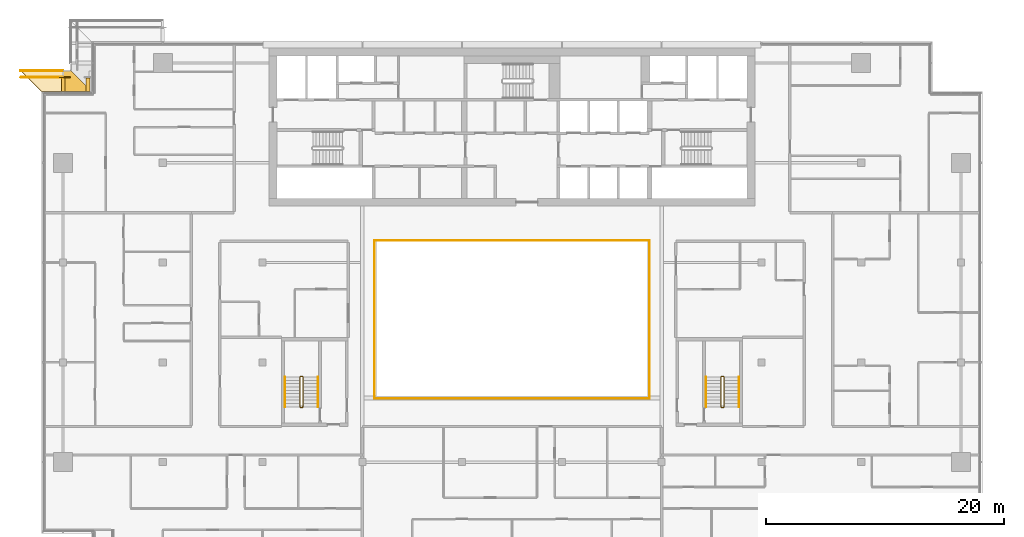
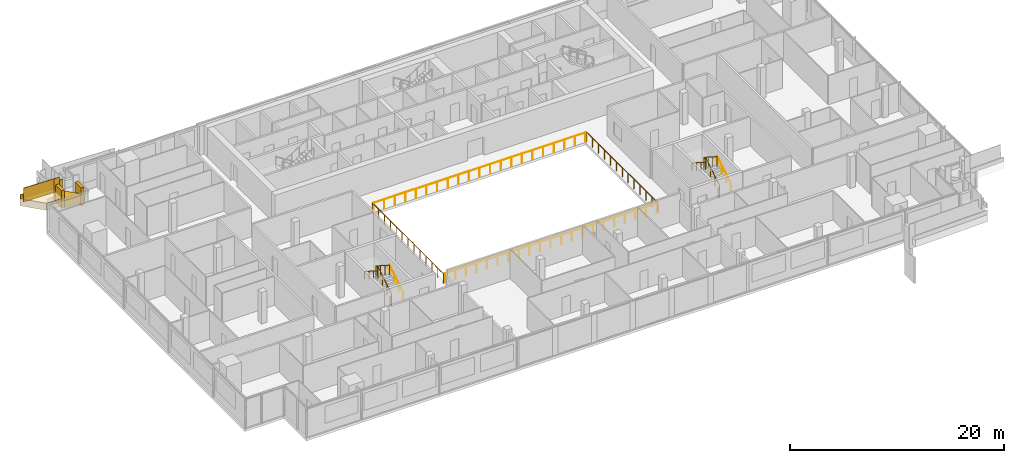
# One storey, part 26 of 30: 13 railings, 5 coverings.
"""IFC4 building model written with IfcOpenShell, lengths in metres."""

from ifc_helpers import new_model, si_unit, direction, frame, origin, origin_2d, place, context, subcontext, project, spatial, polyline, rectangle, circle, outline, extrude, material, layer, layer_set, type_object, element, save


model = new_model("IFC4")

# Units and contexts
model_context = context("Model", 3, precision=1e-05, world=origin(), true_north=direction((0.0, 1.0)))
body_context = subcontext(model_context, "Body", "Model", "MODEL_VIEW")
ifc_project = project(units=[si_unit("LENGTHUNIT", "METRE"), si_unit("AREAUNIT", "SQUARE_METRE"), si_unit("VOLUMEUNIT", "CUBIC_METRE"), si_unit("PLANEANGLEUNIT", "RADIAN"), si_unit("MASSUNIT", "GRAM", prefix="KILO")], contexts=[model_context])

# Site, building, storey
site_placement = place(None, origin())
site = spatial("IfcSite", under=ifc_project, at=site_placement, CompositionType="ELEMENT")
building_placement = place(site_placement, origin())
building = spatial("IfcBuilding", under=site, at=building_placement, Name="Saffron Gate Tower", CompositionType="ELEMENT")
storey_placement = place(building_placement, frame((0.0, 0.0, 237.89990234375)))
storey = spatial("IfcBuildingStorey", under=building, at=storey_placement, Name="L58", CompositionType="ELEMENT", Elevation=237.89990234375)

# Railings
ifc_material_1 = material(Name="Stainless steel and laminated glass", Category="steel")
railing_type_1 = type_object("IfcRailingType", Name="AG1 Atrium edge guard 1100", PredefinedType="GUARDRAIL", material=ifc_material_1)
railing_1_placement = place(storey_placement, frame((76.02001953125, 45.5400390625, 0.0)))
element("IfcRailing", 1, at=railing_1_placement, inside=storey, type_object=railing_type_1, Name="Guard D4-1", PredefinedType="GUARDRAIL", context=body_context, shape_type="SweptSolid", body=[
    extrude(circle(Radius=0.02392578125, at=origin_2d()), frame((0.0, 0.0, 1.076171875), z_axis=(0.0, 1.0, 0.0), x_axis=(-1.0, 0.0, 0.0)), (0.0, 0.0, 1.0), 13.320068359375),
    extrude(circle(Radius=0.02099609375, at=origin_2d()), origin(), (0.0, 0.0, 1.0), 1.052001953125),
    extrude(circle(Radius=0.02099609375, at=origin_2d()), frame((0.0, 1.110107421875, 0.0)), (0.0, 0.0, 1.0), 1.052001953125),
    extrude(circle(Radius=0.02099609375, at=origin_2d()), frame((0.0, 2.219970703125, 0.0)), (0.0, 0.0, 1.0), 1.052001953125),
    extrude(circle(Radius=0.02099609375, at=origin_2d()), frame((0.0, 3.330078125, 0.0)), (0.0, 0.0, 1.0), 1.052001953125),
    extrude(circle(Radius=0.02099609375, at=origin_2d()), frame((0.0, 4.43994140625, 0.0)), (0.0, 0.0, 1.0), 1.052001953125),
    extrude(circle(Radius=0.02099609375, at=origin_2d()), frame((0.0, 5.550048828125, 0.0)), (0.0, 0.0, 1.0), 1.052001953125),
    extrude(circle(Radius=0.02099609375, at=origin_2d()), frame((0.0, 6.66015625, 0.0)), (0.0, 0.0, 1.0), 1.052001953125),
    extrude(circle(Radius=0.02099609375, at=origin_2d()), frame((0.0, 7.77001953125, 0.0)), (0.0, 0.0, 1.0), 1.052001953125),
    extrude(circle(Radius=0.02099609375, at=origin_2d()), frame((0.0, 8.880126953125, 0.0)), (0.0, 0.0, 1.0), 1.052001953125),
    extrude(circle(Radius=0.02099609375, at=origin_2d()), frame((0.0, 9.989990234375, 0.0)), (0.0, 0.0, 1.0), 1.052001953125),
    extrude(circle(Radius=0.02099609375, at=origin_2d()), frame((0.0, 11.10009765625, 0.0)), (0.0, 0.0, 1.0), 1.052001953125),
    extrude(circle(Radius=0.02099609375, at=origin_2d()), frame((0.0, 12.2099609375, 0.0)), (0.0, 0.0, 1.0), 1.052001953125),
    extrude(circle(Radius=0.02099609375, at=origin_2d()), frame((0.0, 13.320068359375, 0.0)), (0.0, 0.0, 1.0), 1.052001953125),
])
railing_2_placement = place(storey_placement, frame((76.139892578125, 58.860107421875, 0.0)))
element("IfcRailing", 2, at=railing_2_placement, inside=storey, type_object=railing_type_1, Name="Guard D4-2", PredefinedType="GUARDRAIL", context=body_context, shape_type="SweptSolid", body=[
    extrude(circle(Radius=0.02392578125, at=origin_2d()), frame((0.0, 0.0, 1.076171875), z_axis=(1.0, 0.0, 0.0), x_axis=(0.0, 1.0, 0.0)), (0.0, 0.0, 1.0), 22.920166015625),
    extrude(circle(Radius=0.02099609375, at=origin_2d()), origin(), (0.0, 0.0, 1.0), 1.052001953125),
    extrude(circle(Radius=0.02099609375, at=origin_2d()), frame((1.14599609375, 0.0, 0.0)), (0.0, 0.0, 1.0), 1.052001953125),
    extrude(circle(Radius=0.02099609375, at=origin_2d()), frame((2.2919921875, 0.0, 0.0)), (0.0, 0.0, 1.0), 1.052001953125),
    extrude(circle(Radius=0.02099609375, at=origin_2d()), frame((3.43798828125, 0.0, 0.0)), (0.0, 0.0, 1.0), 1.052001953125),
    extrude(circle(Radius=0.02099609375, at=origin_2d()), frame((4.583984375, 0.0, 0.0)), (0.0, 0.0, 1.0), 1.052001953125),
    extrude(circle(Radius=0.02099609375, at=origin_2d()), frame((5.72998046875, 0.0, 0.0)), (0.0, 0.0, 1.0), 1.052001953125),
    extrude(circle(Radius=0.02099609375, at=origin_2d()), frame((6.8759765625, 0.0, 0.0)), (0.0, 0.0, 1.0), 1.052001953125),
    extrude(circle(Radius=0.02099609375, at=origin_2d()), frame((8.02197265625, 0.0, 0.0)), (0.0, 0.0, 1.0), 1.052001953125),
    extrude(circle(Radius=0.02099609375, at=origin_2d()), frame((9.16796875, 0.0, 0.0)), (0.0, 0.0, 1.0), 1.052001953125),
    extrude(circle(Radius=0.02099609375, at=origin_2d()), frame((10.31396484375, 0.0, 0.0)), (0.0, 0.0, 1.0), 1.052001953125),
    extrude(circle(Radius=0.02099609375, at=origin_2d()), frame((11.4599609375, 0.0, 0.0)), (0.0, 0.0, 1.0), 1.052001953125),
    extrude(circle(Radius=0.02099609375, at=origin_2d()), frame((12.606201171875, 0.0, 0.0)), (0.0, 0.0, 1.0), 1.052001953125),
    extrude(circle(Radius=0.02099609375, at=origin_2d()), frame((13.752197265625, 0.0, 0.0)), (0.0, 0.0, 1.0), 1.052001953125),
    extrude(circle(Radius=0.02099609375, at=origin_2d()), frame((14.898193359375, 0.0, 0.0)), (0.0, 0.0, 1.0), 1.052001953125),
    extrude(circle(Radius=0.02099609375, at=origin_2d()), frame((16.044189453125, 0.0, 0.0)), (0.0, 0.0, 1.0), 1.052001953125),
    extrude(circle(Radius=0.02099609375, at=origin_2d()), frame((17.190185546875, 0.0, 0.0)), (0.0, 0.0, 1.0), 1.052001953125),
    extrude(circle(Radius=0.02099609375, at=origin_2d()), frame((18.336181640625, 0.0, 0.0)), (0.0, 0.0, 1.0), 1.052001953125),
    extrude(circle(Radius=0.02099609375, at=origin_2d()), frame((19.482177734375, 0.0, 0.0)), (0.0, 0.0, 1.0), 1.052001953125),
    extrude(circle(Radius=0.02099609375, at=origin_2d()), frame((20.628173828125, 0.0, 0.0)), (0.0, 0.0, 1.0), 1.052001953125),
    extrude(circle(Radius=0.02099609375, at=origin_2d()), frame((21.774169921875, 0.0, 0.0)), (0.0, 0.0, 1.0), 1.052001953125),
    extrude(circle(Radius=0.02099609375, at=origin_2d()), frame((22.920166015625, 0.0, 0.0)), (0.0, 0.0, 1.0), 1.052001953125),
])
railing_3_placement = place(storey_placement, frame((99.179931640625, 58.860107421875, 0.0)))
element("IfcRailing", 3, at=railing_3_placement, inside=storey, type_object=railing_type_1, Name="Guard D4-3", PredefinedType="GUARDRAIL", context=body_context, shape_type="SweptSolid", body=[
    extrude(circle(Radius=0.02392578125, at=origin_2d()), frame((0.0, 0.0, 1.076171875), z_axis=(0.0, -1.0, 0.0), x_axis=(1.0, 0.0, 0.0)), (0.0, 0.0, 1.0), 13.320068359375),
    extrude(circle(Radius=0.02099609375, at=origin_2d()), origin(), (0.0, 0.0, 1.0), 1.052001953125),
    extrude(circle(Radius=0.02099609375, at=origin_2d()), frame((0.0, -1.110107421875, 0.0)), (0.0, 0.0, 1.0), 1.052001953125),
    extrude(circle(Radius=0.02099609375, at=origin_2d()), frame((0.0, -2.219970703125, 0.0)), (0.0, 0.0, 1.0), 1.052001953125),
    extrude(circle(Radius=0.02099609375, at=origin_2d()), frame((0.0, -3.330078125, 0.0)), (0.0, 0.0, 1.0), 1.052001953125),
    extrude(circle(Radius=0.02099609375, at=origin_2d()), frame((0.0, -4.43994140625, 0.0)), (0.0, 0.0, 1.0), 1.052001953125),
    extrude(circle(Radius=0.02099609375, at=origin_2d()), frame((0.0, -5.550048828125, 0.0)), (0.0, 0.0, 1.0), 1.052001953125),
    extrude(circle(Radius=0.02099609375, at=origin_2d()), frame((0.0, -6.66015625, 0.0)), (0.0, 0.0, 1.0), 1.052001953125),
    extrude(circle(Radius=0.02099609375, at=origin_2d()), frame((0.0, -7.77001953125, 0.0)), (0.0, 0.0, 1.0), 1.052001953125),
    extrude(circle(Radius=0.02099609375, at=origin_2d()), frame((0.0, -8.880126953125, 0.0)), (0.0, 0.0, 1.0), 1.052001953125),
    extrude(circle(Radius=0.02099609375, at=origin_2d()), frame((0.0, -9.989990234375, 0.0)), (0.0, 0.0, 1.0), 1.052001953125),
    extrude(circle(Radius=0.02099609375, at=origin_2d()), frame((0.0, -11.10009765625, 0.0)), (0.0, 0.0, 1.0), 1.052001953125),
    extrude(circle(Radius=0.02099609375, at=origin_2d()), frame((0.0, -12.2099609375, 0.0)), (0.0, 0.0, 1.0), 1.052001953125),
    extrude(circle(Radius=0.02099609375, at=origin_2d()), frame((0.0, -13.320068359375, 0.0)), (0.0, 0.0, 1.0), 1.052001953125),
])
railing_4_placement = place(storey_placement, frame((99.06005859375, 45.5400390625, 0.0)))
element("IfcRailing", 4, at=railing_4_placement, inside=storey, type_object=railing_type_1, Name="Guard D4-4", PredefinedType="GUARDRAIL", context=body_context, shape_type="SweptSolid", body=[
    extrude(circle(Radius=0.02392578125, at=origin_2d()), frame((0.0, 0.0, 1.076171875), z_axis=(-1.0, 0.0, 0.0), x_axis=(0.0, -1.0, 0.0)), (0.0, 0.0, 1.0), 22.920166015625),
    extrude(circle(Radius=0.02099609375, at=origin_2d()), origin(), (0.0, 0.0, 1.0), 1.052001953125),
    extrude(circle(Radius=0.02099609375, at=origin_2d()), frame((-1.14599609375, 0.0, 0.0)), (0.0, 0.0, 1.0), 1.052001953125),
    extrude(circle(Radius=0.02099609375, at=origin_2d()), frame((-2.2919921875, 0.0, 0.0)), (0.0, 0.0, 1.0), 1.052001953125),
    extrude(circle(Radius=0.02099609375, at=origin_2d()), frame((-3.43798828125, 0.0, 0.0)), (0.0, 0.0, 1.0), 1.052001953125),
    extrude(circle(Radius=0.02099609375, at=origin_2d()), frame((-4.583984375, 0.0, 0.0)), (0.0, 0.0, 1.0), 1.052001953125),
    extrude(circle(Radius=0.02099609375, at=origin_2d()), frame((-5.72998046875, 0.0, 0.0)), (0.0, 0.0, 1.0), 1.052001953125),
    extrude(circle(Radius=0.02099609375, at=origin_2d()), frame((-6.8759765625, 0.0, 0.0)), (0.0, 0.0, 1.0), 1.052001953125),
    extrude(circle(Radius=0.02099609375, at=origin_2d()), frame((-8.02197265625, 0.0, 0.0)), (0.0, 0.0, 1.0), 1.052001953125),
    extrude(circle(Radius=0.02099609375, at=origin_2d()), frame((-9.16796875, 0.0, 0.0)), (0.0, 0.0, 1.0), 1.052001953125),
    extrude(circle(Radius=0.02099609375, at=origin_2d()), frame((-10.31396484375, 0.0, 0.0)), (0.0, 0.0, 1.0), 1.052001953125),
    extrude(circle(Radius=0.02099609375, at=origin_2d()), frame((-11.4599609375, 0.0, 0.0)), (0.0, 0.0, 1.0), 1.052001953125),
    extrude(circle(Radius=0.02099609375, at=origin_2d()), frame((-12.606201171875, 0.0, 0.0)), (0.0, 0.0, 1.0), 1.052001953125),
    extrude(circle(Radius=0.02099609375, at=origin_2d()), frame((-13.752197265625, 0.0, 0.0)), (0.0, 0.0, 1.0), 1.052001953125),
    extrude(circle(Radius=0.02099609375, at=origin_2d()), frame((-14.898193359375, 0.0, 0.0)), (0.0, 0.0, 1.0), 1.052001953125),
    extrude(circle(Radius=0.02099609375, at=origin_2d()), frame((-16.044189453125, 0.0, 0.0)), (0.0, 0.0, 1.0), 1.052001953125),
    extrude(circle(Radius=0.02099609375, at=origin_2d()), frame((-17.190185546875, 0.0, 0.0)), (0.0, 0.0, 1.0), 1.052001953125),
    extrude(circle(Radius=0.02099609375, at=origin_2d()), frame((-18.336181640625, 0.0, 0.0)), (0.0, 0.0, 1.0), 1.052001953125),
    extrude(circle(Radius=0.02099609375, at=origin_2d()), frame((-19.482177734375, 0.0, 0.0)), (0.0, 0.0, 1.0), 1.052001953125),
    extrude(circle(Radius=0.02099609375, at=origin_2d()), frame((-20.628173828125, 0.0, 0.0)), (0.0, 0.0, 1.0), 1.052001953125),
    extrude(circle(Radius=0.02099609375, at=origin_2d()), frame((-21.774169921875, 0.0, 0.0)), (0.0, 0.0, 1.0), 1.052001953125),
    extrude(circle(Radius=0.02099609375, at=origin_2d()), frame((-22.920166015625, 0.0, 0.0)), (0.0, 0.0, 1.0), 1.052001953125),
])
railing_type_2 = type_object("IfcRailingType", Name="CR1 Stair guard 1100", PredefinedType="GUARDRAIL", material=ifc_material_1)
railing_5_placement = place(storey_placement, frame((69.800048828125, 44.800048828125, 0.0)))
element("IfcRailing", 5, at=railing_5_placement, inside=storey, type_object=railing_type_2, Name="L58 ST-D stair guard 1", PredefinedType="GUARDRAIL", context=body_context, shape_type="SweptSolid", body=[
    extrude(circle(Radius=0.02392578125, at=origin_2d()), frame((0.0, 0.0, 1.076171875), z_axis=(1.0, 0.0, 0.0), x_axis=(0.0, 1.0, 0.0)), (0.0, 0.0, 1.0), 0.14990234375),
    extrude(circle(Radius=0.02392578125, at=origin_2d()), frame((0.14990234375, 0.0, 1.076171875), z_axis=(0.258543844998, 0.258543844998, 0.930757841991), x_axis=(-0.707106781187, 0.707106781187, 0.0)), (0.0, 0.0, 1.0), 0.193603515625),
    extrude(circle(Radius=0.02392578125, at=origin_2d()), frame((0.199951171875, 0.050048828125, 1.25634765625), z_axis=(0.0, 0.841199657755, 0.540724639528), x_axis=(-1.0, 0.0, 0.0)), (0.0, 0.0, 1.0), 2.995849609375),
    extrude(circle(Radius=0.02392578125, at=origin_2d()), frame((0.199951171875, 2.570068359375, 2.8759765625), z_axis=(-0.708833529934, 0.705375805398, 0.0), x_axis=(-0.705375805398, -0.708833529934, 0.0)), (0.0, 0.0, 1.0), 0.070556640625),
    extrude(circle(Radius=0.02392578125, at=origin_2d()), frame((0.14990234375, 2.619873046875, 2.8759765625), z_axis=(-1.0, 0.0, 0.0), x_axis=(0.0, -1.0, 0.0)), (0.0, 0.0, 1.0), 0.14990234375),
    extrude(circle(Radius=0.02392578125, at=origin_2d()), frame((0.0, 2.619873046875, 2.8759765625), z_axis=(-0.258932105505, -0.257669022063, 0.930892496375), x_axis=(0.705375805398, -0.708833529934, 0.0)), (0.0, 0.0, 1.0), 0.193359375),
    extrude(circle(Radius=0.02392578125, at=origin_2d()), frame((-0.050048828125, 2.570068359375, 3.05615234375), z_axis=(0.0, -0.841162588446, 0.540782303519), x_axis=(1.0, 0.0, 0.0)), (0.0, 0.0, 1.0), 2.995849609375),
    extrude(circle(Radius=0.02099609375, at=origin_2d()), origin(), (0.0, 0.0, 1.0), 1.052001953125),
    extrude(circle(Radius=0.02099609375, at=origin_2d()), frame((0.14990234375, 0.0, 0.0)), (0.0, 0.0, 1.0), 1.052001953125),
    extrude(circle(Radius=0.02099609375, at=origin_2d()), frame((0.199951171875, 0.050048828125, 0.18017578125)), (0.0, 0.0, 1.0), 1.052001953125),
    extrude(circle(Radius=0.02099609375, at=origin_2d()), frame((0.199951171875, 0.89013671875, 0.72021484375)), (0.0, 0.0, 1.0), 1.052001953125),
    extrude(circle(Radius=0.02099609375, at=origin_2d()), frame((0.199951171875, 1.72998046875, 1.260009765625)), (0.0, 0.0, 1.0), 1.052001953125),
    extrude(circle(Radius=0.02099609375, at=origin_2d()), frame((0.199951171875, 2.570068359375, 1.800048828125)), (0.0, 0.0, 1.0), 1.052001953125),
    extrude(circle(Radius=0.02099609375, at=origin_2d()), frame((0.14990234375, 2.619873046875, 1.800048828125)), (0.0, 0.0, 1.0), 1.052001953125),
    extrude(circle(Radius=0.02099609375, at=origin_2d()), frame((0.0, 2.619873046875, 1.800048828125)), (0.0, 0.0, 1.0), 1.052001953125),
    extrude(circle(Radius=0.02099609375, at=origin_2d()), frame((-0.050048828125, 2.570068359375, 1.97998046875)), (0.0, 0.0, 1.0), 1.052001953125),
    extrude(circle(Radius=0.02099609375, at=origin_2d()), frame((-0.050048828125, 1.72998046875, 2.52001953125)), (0.0, 0.0, 1.0), 1.052001953125),
    extrude(circle(Radius=0.02099609375, at=origin_2d()), frame((-0.050048828125, 0.89013671875, 3.06005859375)), (0.0, 0.0, 1.0), 1.052001953125),
    extrude(circle(Radius=0.02099609375, at=origin_2d()), frame((-0.050048828125, 0.050048828125, 3.60009765625)), (0.0, 0.0, 1.0), 1.052001953125),
])
railing_6_placement = place(storey_placement, frame((105.25, 44.800048828125, 0.0)))
element("IfcRailing", 6, at=railing_6_placement, inside=storey, type_object=railing_type_2, Name="L58 ST-E stair guard 1", PredefinedType="GUARDRAIL", context=body_context, shape_type="SweptSolid", body=[
    extrude(circle(Radius=0.02392578125, at=origin_2d()), frame((0.0, 0.0, 1.076171875), z_axis=(1.0, 0.0, 0.0), x_axis=(0.0, 1.0, 0.0)), (0.0, 0.0, 1.0), 0.14990234375),
    extrude(circle(Radius=0.02392578125, at=origin_2d()), frame((0.14990234375, 0.0, 1.076171875), z_axis=(0.258543844998, 0.258543844998, 0.930757841991), x_axis=(-0.707106781187, 0.707106781187, 0.0)), (0.0, 0.0, 1.0), 0.193603515625),
    extrude(circle(Radius=0.02392578125, at=origin_2d()), frame((0.199951171875, 0.050048828125, 1.25634765625), z_axis=(0.0, 0.841199657755, 0.540724639528), x_axis=(-1.0, 0.0, 0.0)), (0.0, 0.0, 1.0), 2.995849609375),
    extrude(circle(Radius=0.02392578125, at=origin_2d()), frame((0.199951171875, 2.570068359375, 2.8759765625), z_axis=(-0.708833529934, 0.705375805398, 0.0), x_axis=(-0.705375805398, -0.708833529934, 0.0)), (0.0, 0.0, 1.0), 0.070556640625),
    extrude(circle(Radius=0.02392578125, at=origin_2d()), frame((0.14990234375, 2.619873046875, 2.8759765625), z_axis=(-1.0, 0.0, 0.0), x_axis=(0.0, -1.0, 0.0)), (0.0, 0.0, 1.0), 0.14990234375),
    extrude(circle(Radius=0.02392578125, at=origin_2d()), frame((0.0, 2.619873046875, 2.8759765625), z_axis=(-0.258932105505, -0.257669022063, 0.930892496375), x_axis=(0.705375805398, -0.708833529934, 0.0)), (0.0, 0.0, 1.0), 0.193359375),
    extrude(circle(Radius=0.02392578125, at=origin_2d()), frame((-0.050048828125, 2.570068359375, 3.05615234375), z_axis=(0.0, -0.841162588446, 0.540782303519), x_axis=(1.0, 0.0, 0.0)), (0.0, 0.0, 1.0), 2.995849609375),
    extrude(circle(Radius=0.02099609375, at=origin_2d()), origin(), (0.0, 0.0, 1.0), 1.052001953125),
    extrude(circle(Radius=0.02099609375, at=origin_2d()), frame((0.14990234375, 0.0, 0.0)), (0.0, 0.0, 1.0), 1.052001953125),
    extrude(circle(Radius=0.02099609375, at=origin_2d()), frame((0.199951171875, 0.050048828125, 0.18017578125)), (0.0, 0.0, 1.0), 1.052001953125),
    extrude(circle(Radius=0.02099609375, at=origin_2d()), frame((0.199951171875, 0.89013671875, 0.72021484375)), (0.0, 0.0, 1.0), 1.052001953125),
    extrude(circle(Radius=0.02099609375, at=origin_2d()), frame((0.199951171875, 1.72998046875, 1.260009765625)), (0.0, 0.0, 1.0), 1.052001953125),
    extrude(circle(Radius=0.02099609375, at=origin_2d()), frame((0.199951171875, 2.570068359375, 1.800048828125)), (0.0, 0.0, 1.0), 1.052001953125),
    extrude(circle(Radius=0.02099609375, at=origin_2d()), frame((0.14990234375, 2.619873046875, 1.800048828125)), (0.0, 0.0, 1.0), 1.052001953125),
    extrude(circle(Radius=0.02099609375, at=origin_2d()), frame((0.0, 2.619873046875, 1.800048828125)), (0.0, 0.0, 1.0), 1.052001953125),
    extrude(circle(Radius=0.02099609375, at=origin_2d()), frame((-0.050048828125, 2.570068359375, 1.97998046875)), (0.0, 0.0, 1.0), 1.052001953125),
    extrude(circle(Radius=0.02099609375, at=origin_2d()), frame((-0.050048828125, 1.72998046875, 2.52001953125)), (0.0, 0.0, 1.0), 1.052001953125),
    extrude(circle(Radius=0.02099609375, at=origin_2d()), frame((-0.050048828125, 0.89013671875, 3.06005859375)), (0.0, 0.0, 1.0), 1.052001953125),
    extrude(circle(Radius=0.02099609375, at=origin_2d()), frame((-0.050048828125, 0.050048828125, 3.60009765625)), (0.0, 0.0, 1.0), 1.052001953125),
])
ifc_material_2 = material(Name="Stainless steel", Category="steel")
railing_type_3 = type_object("IfcRailingType", Name="CR2 Stair handrail 900", PredefinedType="HANDRAIL", material=ifc_material_2)
railing_7_placement = place(storey_placement, frame((71.25, 44.85009765625, 0.18017578125)))
element("IfcRailing", 7, at=railing_7_placement, inside=storey, type_object=railing_type_3, Name="L58 ST-D stair handrail 1", PredefinedType="HANDRAIL", context=body_context, shape_type="SweptSolid", body=[
    extrude(circle(Radius=0.02392578125, at=origin_2d()), frame((0.0, 0.0, 0.8759765625), z_axis=(0.0, 0.841199657755, 0.540724639528), x_axis=(-1.0, 0.0, 0.0)), (0.0, 0.0, 1.0), 2.995849609375),
    extrude(circle(Radius=0.02099609375, at=origin_2d()), origin(), (0.0, 0.0, 1.0), 0.851806640625),
    extrude(circle(Radius=0.02099609375, at=origin_2d()), frame((0.0, 0.840087890625, 0.5400390625)), (0.0, 0.0, 1.0), 0.851806640625),
    extrude(circle(Radius=0.02099609375, at=origin_2d()), frame((0.0, 1.679931640625, 1.079833984375)), (0.0, 0.0, 1.0), 0.851806640625),
    extrude(circle(Radius=0.02099609375, at=origin_2d()), frame((0.0, 2.52001953125, 1.619873046875)), (0.0, 0.0, 1.0), 0.851806640625),
])
railing_8_placement = place(storey_placement, frame((68.5, 47.3701171875, 1.97998046875)))
element("IfcRailing", 8, at=railing_8_placement, inside=storey, type_object=railing_type_3, Name="L58 ST-D stair handrail 2", PredefinedType="HANDRAIL", context=body_context, shape_type="SweptSolid", body=[
    extrude(circle(Radius=0.02392578125, at=origin_2d()), frame((0.0, 0.0, 0.8759765625), z_axis=(0.0, -0.841162588446, 0.540782303519), x_axis=(1.0, 0.0, 0.0)), (0.0, 0.0, 1.0), 2.995849609375),
    extrude(circle(Radius=0.02099609375, at=origin_2d()), origin(), (0.0, 0.0, 1.0), 0.851806640625),
    extrude(circle(Radius=0.02099609375, at=origin_2d()), frame((0.0, -0.840087890625, 0.5400390625)), (0.0, 0.0, 1.0), 0.851806640625),
    extrude(circle(Radius=0.02099609375, at=origin_2d()), frame((0.0, -1.679931640625, 1.080078125)), (0.0, 0.0, 1.0), 0.851806640625),
    extrude(circle(Radius=0.02099609375, at=origin_2d()), frame((0.0, -2.52001953125, 1.6201171875)), (0.0, 0.0, 1.0), 0.851806640625),
])
railing_9_placement = place(storey_placement, frame((106.699951171875, 44.85009765625, 0.18017578125)))
element("IfcRailing", 9, at=railing_9_placement, inside=storey, type_object=railing_type_3, Name="L58 ST-E stair handrail 1", PredefinedType="HANDRAIL", context=body_context, shape_type="SweptSolid", body=[
    extrude(circle(Radius=0.02392578125, at=origin_2d()), frame((0.0, 0.0, 0.8759765625), z_axis=(0.0, 0.841199657755, 0.540724639528), x_axis=(-1.0, 0.0, 0.0)), (0.0, 0.0, 1.0), 2.995849609375),
    extrude(circle(Radius=0.02099609375, at=origin_2d()), origin(), (0.0, 0.0, 1.0), 0.851806640625),
    extrude(circle(Radius=0.02099609375, at=origin_2d()), frame((0.0, 0.840087890625, 0.5400390625)), (0.0, 0.0, 1.0), 0.851806640625),
    extrude(circle(Radius=0.02099609375, at=origin_2d()), frame((0.0, 1.679931640625, 1.079833984375)), (0.0, 0.0, 1.0), 0.851806640625),
    extrude(circle(Radius=0.02099609375, at=origin_2d()), frame((0.0, 2.52001953125, 1.619873046875)), (0.0, 0.0, 1.0), 0.851806640625),
])
railing_10_placement = place(storey_placement, frame((103.949951171875, 47.3701171875, 1.97998046875)))
element("IfcRailing", 10, at=railing_10_placement, inside=storey, type_object=railing_type_3, Name="L58 ST-E stair handrail 2", PredefinedType="HANDRAIL", context=body_context, shape_type="SweptSolid", body=[
    extrude(circle(Radius=0.02392578125, at=origin_2d()), frame((0.0, 0.0, 0.8759765625), z_axis=(0.0, -0.841162588446, 0.540782303519), x_axis=(1.0, 0.0, 0.0)), (0.0, 0.0, 1.0), 2.995849609375),
    extrude(circle(Radius=0.02099609375, at=origin_2d()), origin(), (0.0, 0.0, 1.0), 0.851806640625),
    extrude(circle(Radius=0.02099609375, at=origin_2d()), frame((0.0, -0.840087890625, 0.5400390625)), (0.0, 0.0, 1.0), 0.851806640625),
    extrude(circle(Radius=0.02099609375, at=origin_2d()), frame((0.0, -1.679931640625, 1.080078125)), (0.0, 0.0, 1.0), 0.851806640625),
    extrude(circle(Radius=0.02099609375, at=origin_2d()), frame((0.0, -2.52001953125, 1.6201171875)), (0.0, 0.0, 1.0), 0.851806640625),
])

# Coverings
ifc_material_3 = material(Name="Timber, thermally modified ash", Category="wood")
ifc_layer_1 = layer(ifc_material_3, 0.800048828125)
ifc_layer_set_1 = layer_set([ifc_layer_1], Name="LD1 ledge timber")
covering_type_1 = type_object("IfcCoveringType", Name="LD1 ledge timber", PredefinedType="CLADDING", material=ifc_layer_set_1)
covering_1_placement = place(storey_placement, frame((52.199951171875, 71.39990234375, 2.80712890625), z_axis=(0.028798988267, 2.8677152e-05, 0.999585222706), x_axis=(-0.999585223117, 6.17e-10, 0.028798988279)))
element("IfcCovering", 11, at=covering_1_placement, inside=storey, type_object=covering_type_1, Name="LEDGE", PredefinedType="CLADDING", context=body_context, shape_type="SweptSolid", body=[
    extrude(outline(polyline([(0.0, 0.0), (2.400896693585025, -4.235164736271502e-22), (2.400896694694882, -1.8000488273848385), (1.8007927832284332, -1.8000488292351673), (0.0, 0.0)])), origin(), (0.0, 0.0, -1.0), 0.800048828125),
])
covering_2_placement = place(storey_placement, frame((49.800048828125, 71.39990234375, 3.21923828125), z_axis=(0.028786835276, -4.5191264e-05, 0.999585572161), x_axis=(-0.999585573182, -2.041e-09, 0.028786835305)))
element("IfcCovering", 12, at=covering_2_placement, inside=storey, type_object=covering_type_1, Name="LEDGE", PredefinedType="CLADDING", context=body_context, shape_type="SweptSolid", body=[
    extrude(outline(polyline([(0.0, 0.0), (1.8007927832406818, 0.0), (3.601592590842695, -1.8000488373153904), (-3.674631647332522e-09, -1.800048826286925), (0.0, 0.0)])), origin(), (0.0, 0.0, -1.0), 0.800048828125),
])
ifc_layer_2 = layer(ifc_material_3, 0.080078125)
ifc_layer_set_2 = layer_set([ifc_layer_2], Name="LD2 ledge planter trough")
covering_type_2 = type_object("IfcCoveringType", Name="LD2 ledge planter trough", PredefinedType="CLADDING", material=ifc_layer_set_2)
covering_3_placement = place(storey_placement, frame((49.800048828125, 73.199951171875, 3.21923828125), z_axis=(0.0, 1.0, 0.0), x_axis=(-0.99958492274, 0.0, 0.028809412191)))
element("IfcCovering", 13, at=covering_3_placement, inside=storey, type_object=covering_type_2, Name="LEDGE planter trough", PredefinedType="CLADDING", context=body_context, shape_type="SweptSolid", body=[
    extrude(outline(polyline([(0.0, 0.0), (3.601592595435983, 0.0), (3.6159973015313485, 0.4997924613700232), (0.014404706095365512, 0.4997924613700232), (0.0, 0.0)])), origin(), (0.0, 0.0, -1.0), 0.080078125),
])
ifc_layer_3 = layer(ifc_material_3, 0.300048828125)
ifc_layer_set_3 = layer_set([ifc_layer_3], Name="LD3 ledge riser fin")
covering_type_3 = type_object("IfcCoveringType", Name="LD3 ledge riser fin", PredefinedType="CLADDING", material=ifc_layer_set_3)
for number, where, z_axis, x_axis, name in (
    (14, (51.89990234375, 71.9599609375, 1.6640625), (0.0, 0.0, 1.0), (-1.0, 0.0, 0.0), "LEDGE riser fin"),
    (15, (49.800048828125, 71.9599609375, 2.076171875), (0.0, 0.0, 1.0), (-1.0, 0.0, 0.0), "LEDGE riser fin"),
):
    element("IfcCovering", number, at=place(storey_placement, frame(where, z_axis=z_axis, x_axis=x_axis)), inside=storey, type_object=covering_type_3, Name=name, PredefinedType="CLADDING", context=body_context, shape_type="SweptSolid", body=[
        extrude(rectangle(XDim=0.300048828125, YDim=1.1201171875, at=origin_2d()), origin(), (0.0, 0.0, 1.0), 2.04296875),
    ])

# Railings
railing_type_4 = type_object("IfcRailingType", Name="LG1 ledge balustrade", PredefinedType="BALUSTRADE", material=ifc_material_3)
railing_11_placement = place(storey_placement, frame((50.39990234375, 72.60009765625, 2.85888671875)))
element("IfcRailing", 16, at=railing_11_placement, inside=storey, type_object=railing_type_4, Name="LEDGE BALUSTRADE", PredefinedType="BALUSTRADE", context=body_context, shape_type="SweptSolid", body=[
    extrude(rectangle(XDim=0.06005859375, YDim=1.60009765625, at=origin_2d()), frame((0.0, 0.0, 0.800048828125), z_axis=(-0.999582742162, 0.0, 0.028884971385), x_axis=(0.0, -1.0, 0.0)), (0.0, 0.0, 1.0), 0.60009765625),
])
railing_12_placement = place(storey_placement, frame((49.800048828125, 72.60009765625, 3.21923828125)))
element("IfcRailing", 17, at=railing_12_placement, inside=storey, type_object=railing_type_4, Name="LEDGE BALUSTRADE", PredefinedType="BALUSTRADE", context=body_context, shape_type="SweptSolid", body=[
    extrude(rectangle(XDim=0.06005859375, YDim=1.60009765625, at=origin_2d()), frame((0.0, 0.0, 0.800048828125), z_axis=(-0.99958492274, 0.0, 0.028809412191), x_axis=(0.0, -1.0, 0.0)), (0.0, 0.0, 1.0), 3.6015625),
])
railing_13_placement = place(storey_placement, frame((50.10009765625, 72.60009765625, 2.876220703125)))
element("IfcRailing", 18, at=railing_13_placement, inside=storey, type_object=railing_type_4, Name="LEDGE BALUSTRADE", PredefinedType="BALUSTRADE", context=body_context, shape_type="SweptSolid", body=[
    extrude(rectangle(XDim=0.06005859375, YDim=1.943115234375, at=origin_2d()), frame((0.0, 0.0, 0.9716796875), z_axis=(-1.0, 0.0, 0.0), x_axis=(0.0, -1.0, 0.0)), (0.0, 0.0, 1.0), 0.60009765625),
])

save(model, "model.ifc")
